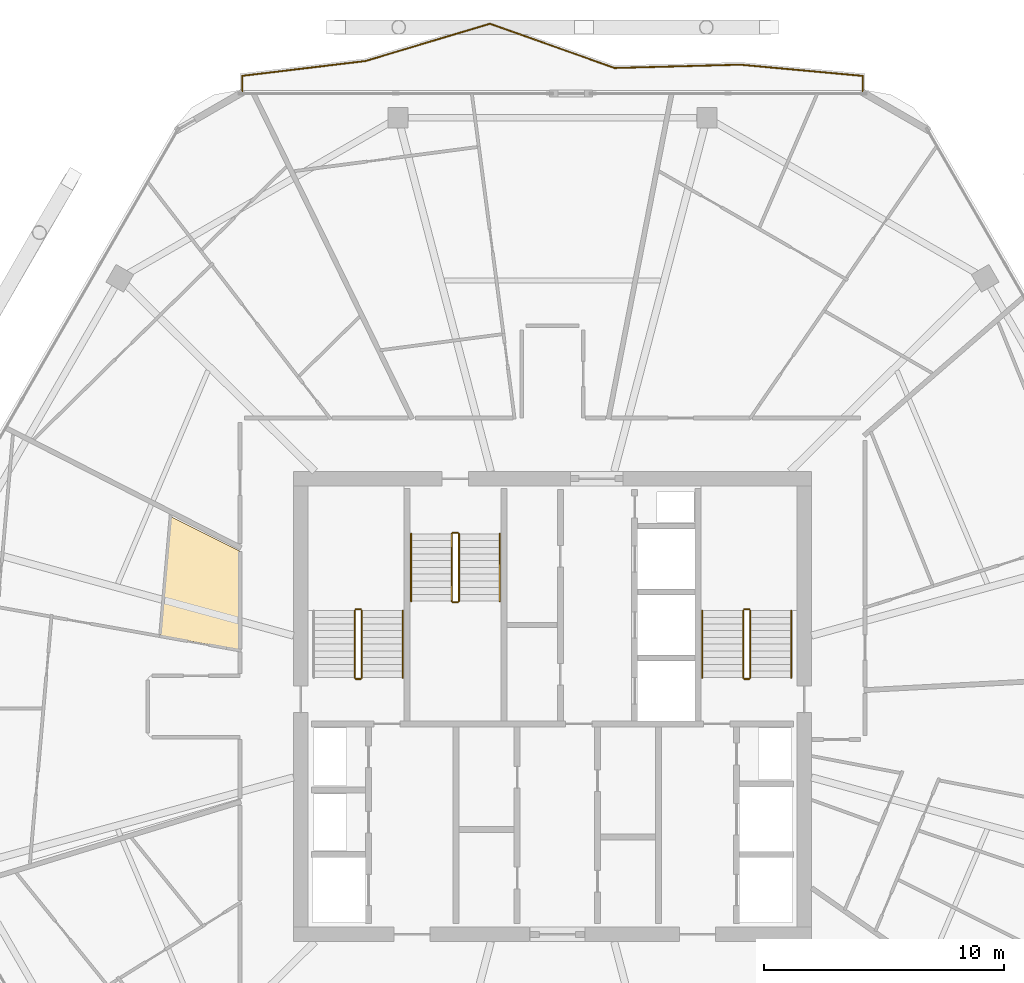
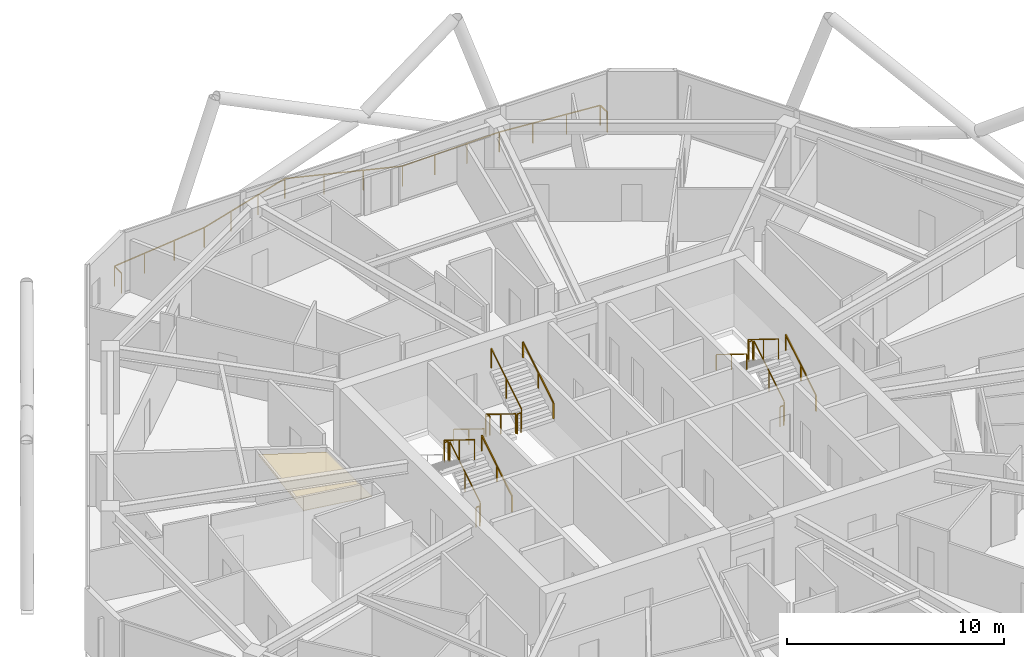
# One storey, part 27 of 27: 18 railings, 1 covering.
"""IFC4 building model written with IfcOpenShell, lengths in metres."""

from ifc_helpers import new_model, si_unit, direction, frame, origin, origin_2d, place, context, subcontext, project, spatial, polyline, rectangle, outline, extrude, material, layer, layer_set, type_object, element, save


model = new_model("IFC4")

# Units and contexts
model_context = context("Model", 3, precision=1e-05, world=origin(), true_north=direction((0.0, 1.0)))
body_context = subcontext(model_context, "Body", "Model", "MODEL_VIEW")
ifc_project = project(units=[si_unit("LENGTHUNIT", "METRE"), si_unit("AREAUNIT", "SQUARE_METRE"), si_unit("VOLUMEUNIT", "CUBIC_METRE"), si_unit("PLANEANGLEUNIT", "RADIAN"), si_unit("MASSUNIT", "GRAM", prefix="KILO")], contexts=[model_context])

# Site, building, storey
site_placement = place(None, origin())
site = spatial("IfcSite", under=ifc_project, at=site_placement, CompositionType="ELEMENT")
building_placement = place(site_placement, origin())
building = spatial("IfcBuilding", under=site, at=building_placement, Name="Zuhravey Tower", CompositionType="ELEMENT")
storey_placement = place(building_placement, frame((0.0, 0.0, 276.800048828125)))
storey = spatial("IfcBuildingStorey", under=building, at=storey_placement, Name="L70", CompositionType="ELEMENT", Elevation=276.800048828125)

# Railing
ifc_material_1 = material(Name="Stainless steel 316 and laminated glass", Category="steel")
railing_type_1 = type_object("IfcRailingType", Name="Balcony & Terrace Guardrail 1150", PredefinedType="BALUSTRADE", material=ifc_material_1)
railing_1_placement = place(storey_placement, frame((23.058349609375, 57.648681640625, 0.0)))
element("IfcRailing", 1, at=railing_1_placement, inside=storey, type_object=railing_type_1, Name="L70 Face 2 Wave Balcony Guardrail GR1", PredefinedType="BALUSTRADE", context=body_context, shape_type="SweptSolid", body=[
    extrude(rectangle(XDim=0.048095703125, YDim=0.048095703125, at=origin_2d()), frame((0.0, 0.001953125, 1.1259765625), z_axis=(0.0, 1.0, 0.0), x_axis=(-1.0, 0.0, 0.0)), (0.0, 0.0, 1.0), 0.647216796875),
    extrude(rectangle(XDim=0.048095703125, YDim=0.048095703125, at=origin_2d()), frame((0.001953125, 0.6513671875, 1.1259765625), z_axis=(0.992871478908, 0.119189875284, 0.0), x_axis=(-0.119189875284, 0.992871478908, 0.0)), (0.0, 0.0, 1.0), 5.170166015625),
    extrude(rectangle(XDim=0.048095703125, YDim=0.048095703125, at=origin_2d()), frame((5.13916015625, 1.268310546875, 1.1259765625), z_axis=(0.957936519029, 0.286980183132, 0.0), x_axis=(-0.286980183132, 0.957936519029, 0.0)), (0.0, 0.0, 1.0), 5.417724609375),
    extrude(rectangle(XDim=0.048095703125, YDim=0.048095703125, at=origin_2d()), frame((10.332763671875, 2.822998046875, 1.1259765625), z_axis=(0.942474043573, -0.33427934006, 0.0), x_axis=(0.33427934006, 0.942474043573, 0.0)), (0.0, 0.0, 1.0), 5.5166015625),
    extrude(rectangle(XDim=0.048095703125, YDim=0.048095703125, at=origin_2d()), frame((15.535888671875, 0.978271484375, 1.1259765625), z_axis=(0.999647364659, 0.026554591526, 0.0), x_axis=(-0.026554591526, 0.999647364659, 0.0)), (0.0, 0.0, 1.0), 5.227294921875),
    extrude(rectangle(XDim=0.048095703125, YDim=0.048095703125, at=origin_2d()), frame((20.765380859375, 1.116943359375, 1.1259765625), z_axis=(0.995839316958, -0.091126586679, 0.0), x_axis=(0.091126586679, 0.995839316958, 0.0)), (0.0, 0.0, 1.0), 5.13720703125),
    extrude(rectangle(XDim=0.048095703125, YDim=0.048095703125, at=origin_2d()), frame((25.88330078125, 0.646728515625, 1.1259765625), z_axis=(0.0, -1.0, 0.0), x_axis=(1.0, 0.0, 0.0)), (0.0, 0.0, 1.0), 0.644775390625),
    extrude(rectangle(XDim=0.0419921875, YDim=0.0419921875, at=origin_2d()), origin(), (0.0, 0.0, 1.0), 1.099853515625),
    extrude(rectangle(XDim=0.0419921875, YDim=0.0419921875, at=origin_2d()), frame((0.0, 0.651123046875, 0.0)), (0.0, 0.0, 1.0), 1.099853515625),
    extrude(rectangle(XDim=0.0419921875, YDim=0.0419921875, at=origin_2d()), frame((1.71240234375, 0.856689453125, 0.0)), (0.0, 0.0, 1.0), 1.099853515625),
    extrude(rectangle(XDim=0.0419921875, YDim=0.0419921875, at=origin_2d()), frame((3.4248046875, 1.062255859375, 0.0)), (0.0, 0.0, 1.0), 1.099853515625),
    extrude(rectangle(XDim=0.0419921875, YDim=0.0419921875, at=origin_2d()), frame((5.13720703125, 1.267822265625, 0.0)), (0.0, 0.0, 1.0), 1.099853515625),
    extrude(rectangle(XDim=0.0419921875, YDim=0.0419921875, at=origin_2d()), frame((6.868408203125, 1.786376953125, 0.0)), (0.0, 0.0, 1.0), 1.099853515625),
    extrude(rectangle(XDim=0.0419921875, YDim=0.0419921875, at=origin_2d()), frame((8.599609375, 2.30517578125, 0.0)), (0.0, 0.0, 1.0), 1.099853515625),
    extrude(rectangle(XDim=0.0419921875, YDim=0.0419921875, at=origin_2d()), frame((10.330810546875, 2.82373046875, 0.0)), (0.0, 0.0, 1.0), 1.099853515625),
    extrude(rectangle(XDim=0.0419921875, YDim=0.0419921875, at=origin_2d()), frame((12.065185546875, 2.20849609375, 0.0)), (0.0, 0.0, 1.0), 1.099853515625),
    extrude(rectangle(XDim=0.0419921875, YDim=0.0419921875, at=origin_2d()), frame((13.799560546875, 1.593505859375, 0.0)), (0.0, 0.0, 1.0), 1.099853515625),
    extrude(rectangle(XDim=0.0419921875, YDim=0.0419921875, at=origin_2d()), frame((15.533935546875, 0.978271484375, 0.0)), (0.0, 0.0, 1.0), 1.099853515625),
    extrude(rectangle(XDim=0.0419921875, YDim=0.0419921875, at=origin_2d()), frame((17.277099609375, 1.024658203125, 0.0)), (0.0, 0.0, 1.0), 1.099853515625),
    extrude(rectangle(XDim=0.0419921875, YDim=0.0419921875, at=origin_2d()), frame((19.020263671875, 1.07080078125, 0.0)), (0.0, 0.0, 1.0), 1.099853515625),
    extrude(rectangle(XDim=0.0419921875, YDim=0.0419921875, at=origin_2d()), frame((20.763427734375, 1.1171875, 0.0)), (0.0, 0.0, 1.0), 1.099853515625),
    extrude(rectangle(XDim=0.0419921875, YDim=0.0419921875, at=origin_2d()), frame((22.469970703125, 0.9609375, 0.0)), (0.0, 0.0, 1.0), 1.099853515625),
    extrude(rectangle(XDim=0.0419921875, YDim=0.0419921875, at=origin_2d()), frame((24.1767578125, 0.804931640625, 0.0)), (0.0, 0.0, 1.0), 1.099853515625),
    extrude(rectangle(XDim=0.0419921875, YDim=0.0419921875, at=origin_2d()), frame((25.88330078125, 0.648681640625, 0.0)), (0.0, 0.0, 1.0), 1.099853515625),
    extrude(rectangle(XDim=0.0419921875, YDim=0.0419921875, at=origin_2d()), frame((25.88330078125, 0.0, 0.0)), (0.0, 0.0, 1.0), 1.099853515625),
])

# Covering
ifc_material_2 = material(Name="Moisture-resistant gypsum ceiling board")
ifc_layer = layer(ifc_material_2, 0.02001953125)
ifc_layer_set = layer_set([ifc_layer], Name="Moisture-resistant gypsum ceiling board")
covering_type = type_object("IfcCoveringType", Name="Moisture-Resistant Ceiling", PredefinedType="CEILING", material=ifc_layer_set)
covering_placement = place(storey_placement, frame((0.0, 0.0, 2.68994140625)))
element("IfcCovering", 2, at=covering_placement, inside=storey, type_object=covering_type, Name="L70 Wet-Room Ceiling CLG2", PredefinedType="CEILING", context=body_context, shape_type="SweptSolid", body=[
    extrude(outline(polyline([(22.969970703125, 38.47412109375), (22.969970703125, 34.35546875), (19.65576171875, 34.94921875), (20.089599609375, 39.91015625), (22.969970703125, 38.47412109375)])), origin(), (0.0, 0.0, 1.0), 0.02001953125),
])

# Railings
ifc_material_3 = material(Name="Brushed stainless steel", Category="steel")
railing_type_2 = type_object("IfcRailingType", Name="Stair Wall Handrail 900", PredefinedType="HANDRAIL", material=ifc_material_3)
for number, where, name in (
    (3, (29.75, 33.199951171875, 0.172607421875), "L70 ST1 stair handrail 1"),
    (4, (45.949951171875, 33.199951171875, 0.172607421875), "L70 ST2 stair handrail 1"),
):
    element("IfcRailing", number, at=place(storey_placement, frame(where)), inside=storey, type_object=railing_type_2, Name=name, PredefinedType="HANDRAIL", context=body_context, shape_type="SweptSolid", body=[
        extrude(rectangle(XDim=0.048095703125, YDim=0.048095703125, at=origin_2d()), frame((0.0, 0.001708984375, 0.876953125), z_axis=(0.0, 0.851089632645, 0.525020415988), x_axis=(-1.0, 0.0, 0.0)), (0.0, 0.0, 1.0), 3.285888671875),
        extrude(rectangle(XDim=0.0419921875, YDim=0.0419921875, at=origin_2d()), origin(), (0.0, 0.0, 1.0), 0.849853515625),
        extrude(rectangle(XDim=0.0419921875, YDim=0.0419921875, at=origin_2d()), frame((0.0, 1.39990234375, 0.86376953125)), (0.0, 0.0, 1.0), 0.849853515625),
        extrude(rectangle(XDim=0.0419921875, YDim=0.0419921875, at=origin_2d()), frame((0.0, 2.800048828125, 1.727294921875)), (0.0, 0.0, 1.0), 0.849853515625),
    ])
for number, where, name in (
    (5, (42.25, 36.0, 2.07275390625), "L70 ST2 stair handrail 2"),
    (6, (30.10009765625, 39.199951171875, 0.172607421875), "L70 ST3 stair handrail 1"),
):
    element("IfcRailing", number, at=place(storey_placement, frame(where)), inside=storey, type_object=railing_type_2, Name=name, PredefinedType="HANDRAIL", context=body_context, shape_type="SweptSolid", body=[
        extrude(rectangle(XDim=0.048095703125, YDim=0.048095703125, at=origin_2d()), frame((0.0, -0.001708984375, 0.876953125), z_axis=(0.0, -0.851089632645, 0.525020415988), x_axis=(1.0, 0.0, 0.0)), (0.0, 0.0, 1.0), 3.285888671875),
        extrude(rectangle(XDim=0.0419921875, YDim=0.0419921875, at=origin_2d()), origin(), (0.0, 0.0, 1.0), 0.849853515625),
        extrude(rectangle(XDim=0.0419921875, YDim=0.0419921875, at=origin_2d()), frame((0.0, -1.39990234375, 0.86376953125)), (0.0, 0.0, 1.0), 0.849853515625),
        extrude(rectangle(XDim=0.0419921875, YDim=0.0419921875, at=origin_2d()), frame((0.0, -2.800048828125, 1.727294921875)), (0.0, 0.0, 1.0), 0.849853515625),
    ])
railing_2_placement = place(storey_placement, frame((33.800048828125, 36.39990234375, 2.07275390625)))
element("IfcRailing", 7, at=railing_2_placement, inside=storey, type_object=railing_type_2, Name="L70 ST3 stair handrail 2", PredefinedType="HANDRAIL", context=body_context, shape_type="SweptSolid", body=[
    extrude(rectangle(XDim=0.048095703125, YDim=0.048095703125, at=origin_2d()), frame((0.0, 0.001708984375, 0.876953125), z_axis=(0.0, 0.851089632645, 0.525020415988), x_axis=(-1.0, 0.0, 0.0)), (0.0, 0.0, 1.0), 3.285888671875),
    extrude(rectangle(XDim=0.0419921875, YDim=0.0419921875, at=origin_2d()), origin(), (0.0, 0.0, 1.0), 0.849853515625),
    extrude(rectangle(XDim=0.0419921875, YDim=0.0419921875, at=origin_2d()), frame((0.0, 1.39990234375, 0.86376953125)), (0.0, 0.0, 1.0), 0.849853515625),
    extrude(rectangle(XDim=0.0419921875, YDim=0.0419921875, at=origin_2d()), frame((0.0, 2.800048828125, 1.727294921875)), (0.0, 0.0, 1.0), 0.849853515625),
])
ifc_material_4 = material(Name="Painted tubular steel", Category="steel")
railing_type_3 = type_object("IfcRailingType", Name="Stair Well Guardrail 1150", PredefinedType="GUARDRAIL", material=ifc_material_4)
railing_3_placement = place(storey_placement, frame((28.050048828125, 33.199951171875, 0.172607421875)))
element("IfcRailing", 8, at=railing_3_placement, inside=storey, type_object=railing_type_3, Name="L70 ST1 stair guard 1", PredefinedType="GUARDRAIL", context=body_context, shape_type="SweptSolid", body=[
    extrude(rectangle(XDim=0.048095703125, YDim=0.048095703125, at=origin_2d()), frame((0.0, 0.001708984375, 1.126953125), z_axis=(0.0, 0.851089632645, 0.525020415988), x_axis=(-1.0, 0.0, 0.0)), (0.0, 0.0, 1.0), 3.285888671875),
    extrude(rectangle(XDim=0.0419921875, YDim=0.0419921875, at=origin_2d()), origin(), (0.0, 0.0, 1.0), 1.099853515625),
    extrude(rectangle(XDim=0.0419921875, YDim=0.0419921875, at=origin_2d()), frame((0.0, 1.39990234375, 0.86376953125)), (0.0, 0.0, 1.0), 1.099853515625),
    extrude(rectangle(XDim=0.0419921875, YDim=0.0419921875, at=origin_2d()), frame((0.0, 2.800048828125, 1.727294921875)), (0.0, 0.0, 1.0), 1.099853515625),
])
railing_4_placement = place(storey_placement, frame((28.0, 36.050048828125, 1.89990234375)))
element("IfcRailing", 9, at=railing_4_placement, inside=storey, type_object=railing_type_3, Name="L70 ST1 stair guard 2", PredefinedType="GUARDRAIL", context=body_context, shape_type="SweptSolid", body=[
    extrude(rectangle(XDim=0.048095703125, YDim=0.048095703125, at=origin_2d()), frame((-0.001953125, 0.0, 1.1259765625), z_axis=(-1.0, 0.0, 0.0), x_axis=(0.0, -1.0, 0.0)), (0.0, 0.0, 1.0), 0.196044921875),
    extrude(rectangle(XDim=0.0419921875, YDim=0.0419921875, at=origin_2d()), origin(), (0.0, 0.0, 1.0), 1.099853515625),
    extrude(rectangle(XDim=0.0419921875, YDim=0.0419921875, at=origin_2d()), frame((-0.199951171875, 0.0, 0.0)), (0.0, 0.0, 1.0), 1.099853515625),
])
railing_5_placement = place(storey_placement, frame((27.75, 36.0, 2.07275390625)))
element("IfcRailing", 10, at=railing_5_placement, inside=storey, type_object=railing_type_3, Name="L70 ST1 stair guard 3", PredefinedType="GUARDRAIL", context=body_context, shape_type="SweptSolid", body=[
    extrude(rectangle(XDim=0.048095703125, YDim=0.048095703125, at=origin_2d()), frame((0.0, -0.001708984375, 1.126953125), z_axis=(0.0, -0.851089632645, 0.525020415988), x_axis=(1.0, 0.0, 0.0)), (0.0, 0.0, 1.0), 3.285888671875),
    extrude(rectangle(XDim=0.0419921875, YDim=0.0419921875, at=origin_2d()), origin(), (0.0, 0.0, 1.0), 1.099853515625),
    extrude(rectangle(XDim=0.0419921875, YDim=0.0419921875, at=origin_2d()), frame((0.0, -1.39990234375, 0.86376953125)), (0.0, 0.0, 1.0), 1.099853515625),
    extrude(rectangle(XDim=0.0419921875, YDim=0.0419921875, at=origin_2d()), frame((0.0, -2.800048828125, 1.727294921875)), (0.0, 0.0, 1.0), 1.099853515625),
])
railing_6_placement = place(storey_placement, frame((28.0, 33.14990234375, 0.0)))
element("IfcRailing", 11, at=railing_6_placement, inside=storey, type_object=railing_type_3, Name="L70 ST1 stair guard 4", PredefinedType="GUARDRAIL", context=body_context, shape_type="SweptSolid", body=[
    extrude(rectangle(XDim=0.048095703125, YDim=0.048095703125, at=origin_2d()), frame((-0.001953125, 0.0, 1.1259765625), z_axis=(-1.0, 0.0, 0.0), x_axis=(0.0, -1.0, 0.0)), (0.0, 0.0, 1.0), 0.196044921875),
    extrude(rectangle(XDim=0.0419921875, YDim=0.0419921875, at=origin_2d()), origin(), (0.0, 0.0, 1.0), 1.099853515625),
    extrude(rectangle(XDim=0.0419921875, YDim=0.0419921875, at=origin_2d()), frame((-0.199951171875, 0.0, 0.0)), (0.0, 0.0, 1.0), 1.099853515625),
])
railing_7_placement = place(storey_placement, frame((44.25, 33.199951171875, 0.172607421875)))
element("IfcRailing", 12, at=railing_7_placement, inside=storey, type_object=railing_type_3, Name="L70 ST2 stair guard 1", PredefinedType="GUARDRAIL", context=body_context, shape_type="SweptSolid", body=[
    extrude(rectangle(XDim=0.048095703125, YDim=0.048095703125, at=origin_2d()), frame((0.0, 0.001708984375, 1.126953125), z_axis=(0.0, 0.851089632645, 0.525020415988), x_axis=(-1.0, 0.0, 0.0)), (0.0, 0.0, 1.0), 3.285888671875),
    extrude(rectangle(XDim=0.0419921875, YDim=0.0419921875, at=origin_2d()), origin(), (0.0, 0.0, 1.0), 1.099853515625),
    extrude(rectangle(XDim=0.0419921875, YDim=0.0419921875, at=origin_2d()), frame((0.0, 1.39990234375, 0.86376953125)), (0.0, 0.0, 1.0), 1.099853515625),
    extrude(rectangle(XDim=0.0419921875, YDim=0.0419921875, at=origin_2d()), frame((0.0, 2.800048828125, 1.727294921875)), (0.0, 0.0, 1.0), 1.099853515625),
])
railing_8_placement = place(storey_placement, frame((44.199951171875, 36.050048828125, 1.89990234375)))
element("IfcRailing", 13, at=railing_8_placement, inside=storey, type_object=railing_type_3, Name="L70 ST2 stair guard 2", PredefinedType="GUARDRAIL", context=body_context, shape_type="SweptSolid", body=[
    extrude(rectangle(XDim=0.048095703125, YDim=0.048095703125, at=origin_2d()), frame((-0.001953125, 0.0, 1.1259765625), z_axis=(-1.0, 0.0, 0.0), x_axis=(0.0, -1.0, 0.0)), (0.0, 0.0, 1.0), 0.196044921875),
    extrude(rectangle(XDim=0.0419921875, YDim=0.0419921875, at=origin_2d()), origin(), (0.0, 0.0, 1.0), 1.099853515625),
    extrude(rectangle(XDim=0.0419921875, YDim=0.0419921875, at=origin_2d()), frame((-0.199951171875, 0.0, 0.0)), (0.0, 0.0, 1.0), 1.099853515625),
])
railing_9_placement = place(storey_placement, frame((43.949951171875, 36.0, 2.07275390625)))
element("IfcRailing", 14, at=railing_9_placement, inside=storey, type_object=railing_type_3, Name="L70 ST2 stair guard 3", PredefinedType="GUARDRAIL", context=body_context, shape_type="SweptSolid", body=[
    extrude(rectangle(XDim=0.048095703125, YDim=0.048095703125, at=origin_2d()), frame((0.0, -0.001708984375, 1.126953125), z_axis=(0.0, -0.851089632645, 0.525020415988), x_axis=(1.0, 0.0, 0.0)), (0.0, 0.0, 1.0), 3.285888671875),
    extrude(rectangle(XDim=0.0419921875, YDim=0.0419921875, at=origin_2d()), origin(), (0.0, 0.0, 1.0), 1.099853515625),
    extrude(rectangle(XDim=0.0419921875, YDim=0.0419921875, at=origin_2d()), frame((0.0, -1.39990234375, 0.86376953125)), (0.0, 0.0, 1.0), 1.099853515625),
    extrude(rectangle(XDim=0.0419921875, YDim=0.0419921875, at=origin_2d()), frame((0.0, -2.800048828125, 1.727294921875)), (0.0, 0.0, 1.0), 1.099853515625),
])
railing_10_placement = place(storey_placement, frame((44.199951171875, 33.14990234375, 0.0)))
element("IfcRailing", 15, at=railing_10_placement, inside=storey, type_object=railing_type_3, Name="L70 ST2 stair guard 4", PredefinedType="GUARDRAIL", context=body_context, shape_type="SweptSolid", body=[
    extrude(rectangle(XDim=0.048095703125, YDim=0.048095703125, at=origin_2d()), frame((-0.001953125, 0.0, 1.1259765625), z_axis=(-1.0, 0.0, 0.0), x_axis=(0.0, -1.0, 0.0)), (0.0, 0.0, 1.0), 0.196044921875),
    extrude(rectangle(XDim=0.0419921875, YDim=0.0419921875, at=origin_2d()), origin(), (0.0, 0.0, 1.0), 1.099853515625),
    extrude(rectangle(XDim=0.0419921875, YDim=0.0419921875, at=origin_2d()), frame((-0.199951171875, 0.0, 0.0)), (0.0, 0.0, 1.0), 1.099853515625),
])
railing_11_placement = place(storey_placement, frame((31.800048828125, 39.199951171875, 0.172607421875)))
element("IfcRailing", 16, at=railing_11_placement, inside=storey, type_object=railing_type_3, Name="L70 ST3 stair guard 1", PredefinedType="GUARDRAIL", context=body_context, shape_type="SweptSolid", body=[
    extrude(rectangle(XDim=0.048095703125, YDim=0.048095703125, at=origin_2d()), frame((0.0, -0.001708984375, 1.126953125), z_axis=(0.0, -0.851089632645, 0.525020415988), x_axis=(1.0, 0.0, 0.0)), (0.0, 0.0, 1.0), 3.285888671875),
    extrude(rectangle(XDim=0.0419921875, YDim=0.0419921875, at=origin_2d()), origin(), (0.0, 0.0, 1.0), 1.099853515625),
    extrude(rectangle(XDim=0.0419921875, YDim=0.0419921875, at=origin_2d()), frame((0.0, -1.39990234375, 0.86376953125)), (0.0, 0.0, 1.0), 1.099853515625),
    extrude(rectangle(XDim=0.0419921875, YDim=0.0419921875, at=origin_2d()), frame((0.0, -2.800048828125, 1.727294921875)), (0.0, 0.0, 1.0), 1.099853515625),
])
railing_12_placement = place(storey_placement, frame((31.85009765625, 36.35009765625, 1.89990234375)))
element("IfcRailing", 17, at=railing_12_placement, inside=storey, type_object=railing_type_3, Name="L70 ST3 stair guard 2", PredefinedType="GUARDRAIL", context=body_context, shape_type="SweptSolid", body=[
    extrude(rectangle(XDim=0.048095703125, YDim=0.048095703125, at=origin_2d()), frame((0.001953125, 0.0, 1.1259765625), z_axis=(1.0, 0.0, 0.0), x_axis=(0.0, 1.0, 0.0)), (0.0, 0.0, 1.0), 0.196044921875),
    extrude(rectangle(XDim=0.0419921875, YDim=0.0419921875, at=origin_2d()), origin(), (0.0, 0.0, 1.0), 1.099853515625),
    extrude(rectangle(XDim=0.0419921875, YDim=0.0419921875, at=origin_2d()), frame((0.199951171875, 0.0, 0.0)), (0.0, 0.0, 1.0), 1.099853515625),
])
railing_13_placement = place(storey_placement, frame((32.10009765625, 36.39990234375, 2.07275390625)))
element("IfcRailing", 18, at=railing_13_placement, inside=storey, type_object=railing_type_3, Name="L70 ST3 stair guard 3", PredefinedType="GUARDRAIL", context=body_context, shape_type="SweptSolid", body=[
    extrude(rectangle(XDim=0.048095703125, YDim=0.048095703125, at=origin_2d()), frame((0.0, 0.001708984375, 1.126953125), z_axis=(0.0, 0.851089632645, 0.525020415988), x_axis=(-1.0, 0.0, 0.0)), (0.0, 0.0, 1.0), 3.285888671875),
    extrude(rectangle(XDim=0.0419921875, YDim=0.0419921875, at=origin_2d()), origin(), (0.0, 0.0, 1.0), 1.099853515625),
    extrude(rectangle(XDim=0.0419921875, YDim=0.0419921875, at=origin_2d()), frame((0.0, 1.39990234375, 0.86376953125)), (0.0, 0.0, 1.0), 1.099853515625),
    extrude(rectangle(XDim=0.0419921875, YDim=0.0419921875, at=origin_2d()), frame((0.0, 2.800048828125, 1.727294921875)), (0.0, 0.0, 1.0), 1.099853515625),
])
railing_14_placement = place(storey_placement, frame((31.85009765625, 39.25, 0.0)))
element("IfcRailing", 19, at=railing_14_placement, inside=storey, type_object=railing_type_3, Name="L70 ST3 stair guard 4", PredefinedType="GUARDRAIL", context=body_context, shape_type="SweptSolid", body=[
    extrude(rectangle(XDim=0.048095703125, YDim=0.048095703125, at=origin_2d()), frame((0.001953125, 0.0, 1.1259765625), z_axis=(1.0, 0.0, 0.0), x_axis=(0.0, 1.0, 0.0)), (0.0, 0.0, 1.0), 0.196044921875),
    extrude(rectangle(XDim=0.0419921875, YDim=0.0419921875, at=origin_2d()), origin(), (0.0, 0.0, 1.0), 1.099853515625),
    extrude(rectangle(XDim=0.0419921875, YDim=0.0419921875, at=origin_2d()), frame((0.199951171875, 0.0, 0.0)), (0.0, 0.0, 1.0), 1.099853515625),
])

save(model, "model.ifc")
